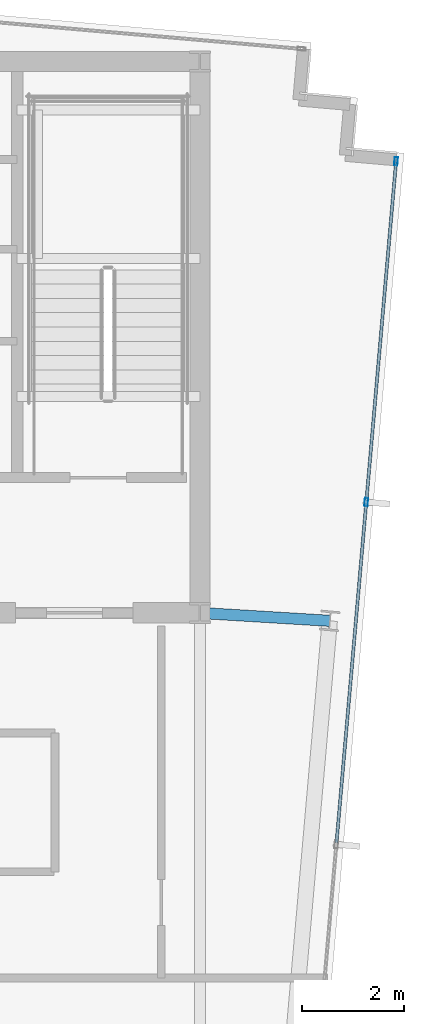
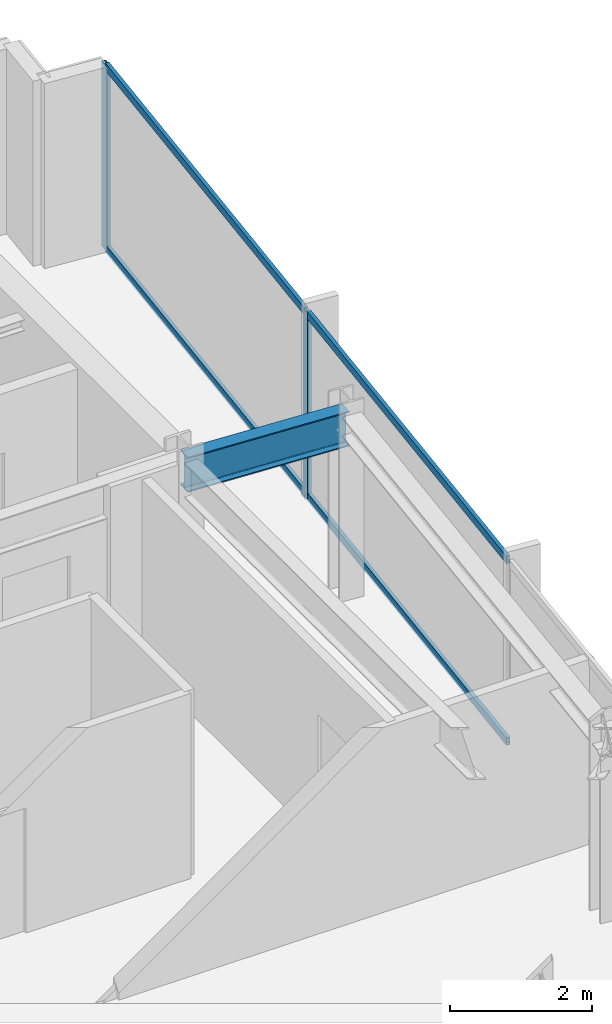
# One storey, part 21 of 32: 6 members, 1 beam, 1 element without a shape of its own.
"""IFC4 building model written with IfcOpenShell, lengths in metres."""

from ifc_helpers import new_model, si_unit, direction, frame, origin, origin_2d, place, context, subcontext, project, spatial, hollow_rectangle, i_section, extrude, material, material_profile, profile_set, type_object, element, aggregate, save


model = new_model("IFC4")

# Units and contexts
model_context = context("Model", 3, precision=1e-05, world=origin(), true_north=direction((0.0, 1.0)))
body_context = subcontext(model_context, "Body", "Model", "MODEL_VIEW")
ifc_project = project(units=[si_unit("LENGTHUNIT", "METRE"), si_unit("AREAUNIT", "SQUARE_METRE"), si_unit("VOLUMEUNIT", "CUBIC_METRE"), si_unit("PLANEANGLEUNIT", "RADIAN"), si_unit("MASSUNIT", "GRAM", prefix="KILO")], contexts=[model_context])

# Site, building, storey
site_placement = place(None, origin())
site = spatial("IfcSite", under=ifc_project, at=site_placement, CompositionType="ELEMENT")
building_placement = place(site_placement, origin())
building = spatial("IfcBuilding", under=site, at=building_placement, Name="Yelkora Congress Tower", CompositionType="ELEMENT")
storey_placement = place(building_placement, frame((0.0, 0.0, 272.699951171875)))
storey = spatial("IfcBuildingStorey", under=building, at=storey_placement, Name="L76", CompositionType="ELEMENT", Elevation=272.699951171875)

# Beam
ifc_material_1 = material(Name="Steel S355J2", Category="steel")
ifc_material_profile_1 = material_profile(ifc_material_1, i_section(OverallWidth=0.219970703125, OverallDepth=0.60009765625, WebThickness=0.011962890625, FlangeThickness=0.01904296875, FilletRadius=0.02392578125, at=origin_2d()), Name="IPE 600")
ifc_profile_set_1 = profile_set([ifc_material_profile_1], Name="Steel S355J2")
beam_type = type_object("IfcBeamType", Name="BM-GIRD-IPE600", PredefinedType="BEAM", material=ifc_profile_set_1)
beam_placement = place(storey_placement, frame((56.302001953125, 35.24560546875, 2.880126953125), z_axis=(-0.99816287892, 0.060587681471, 0.0), x_axis=(-0.060587681471, -0.99816287892, 0.0)))
element("IfcBeam", 1, at=beam_placement, inside=storey, type_object=beam_type, Name="L76 Primary Frame Girder E02", PredefinedType="BEAM", context=body_context, shape_type="SweptSolid", body=[
    extrude(i_section(OverallWidth=0.219970703125, OverallDepth=0.60009765625, WebThickness=0.011962890625, FlangeThickness=0.01904296875, FilletRadius=0.02392578125, at=origin_2d()), origin(), (0.0, 0.0, 1.0), 2.546630859375),
])

# Curtain wall, members
ifc_material_2 = material(Name="Anodised aluminium and insulated glass", Category="aluminium")
curtain_wall_type = type_object("IfcCurtainWallType", Name="CW-SYS-B5", PredefinedType="NOTDEFINED", material=ifc_material_2)
curtain_wall_placement = place(storey_placement, origin())
curtain_wall = element("IfcCurtainWall", 2, at=curtain_wall_placement, inside=storey, type_object=curtain_wall_type, Name="L76 Unitised Curtain Wall 15", PredefinedType="NOTDEFINED")
ifc_material_3 = material(Name="Anodised aluminium 6063-T6", Category="aluminium")
ifc_material_profile_2 = material_profile(ifc_material_3, hollow_rectangle(XDim=0.06494140625, YDim=0.159912109375, WallThickness=0.00390625, at=origin_2d()), Name="ALU 65x160x4")
ifc_profile_set_2 = profile_set([ifc_material_profile_2], Name="Anodised aluminium 6063-T6")
member_type_1 = type_object("IfcMemberType", Name="MEM-ML-B5", PredefinedType="MULLION", material=ifc_profile_set_2)
member_1_placement = place(storey_placement, frame((57.601318359375, 44.243896484375, 0.0), z_axis=(0.0, 0.0, 1.0), x_axis=(0.996194463398, -0.087158425264, 0.0)))
member_1 = element("IfcMember", 3, at=member_1_placement, type_object=member_type_1, Name="CW-B5 mullion 1", PredefinedType="MULLION", context=body_context, shape_type="SweptSolid", body=[
    extrude(hollow_rectangle(XDim=0.06494140625, YDim=0.159912109375, WallThickness=0.00390625, at=origin_2d()), origin(), (0.0, 0.0, 1.0), 3.179931640625),
])
member_2_placement = place(storey_placement, frame((57.017578125, 37.572021484375, 0.0), z_axis=(0.0, 0.0, 1.0), x_axis=(0.996194463398, -0.087158425264, 0.0)))
member_2 = element("IfcMember", 4, at=member_2_placement, type_object=member_type_1, Name="CW-B5 mullion 2", PredefinedType="MULLION", context=body_context, shape_type="SweptSolid", body=[
    extrude(hollow_rectangle(XDim=0.06494140625, YDim=0.159912109375, WallThickness=0.00390625, at=origin_2d()), origin(), (0.0, 0.0, 1.0), 3.179931640625),
])
ifc_material_profile_3 = material_profile(ifc_material_3, hollow_rectangle(XDim=0.06005859375, YDim=0.1298828125, WallThickness=0.00390625, at=origin_2d()), Name="ALU 60x130x4")
ifc_profile_set_3 = profile_set([ifc_material_profile_3], Name="Anodised aluminium 6063-T6")
member_type_2 = type_object("IfcMemberType", Name="MEM-TR-B5", PredefinedType="USERDEFINED", material=ifc_profile_set_3)
member_3_placement = place(storey_placement, frame((57.598388671875, 44.21142578125, 0.030029296875), z_axis=(-0.08716649365, -0.996193757451, 0.0), x_axis=(0.996193757451, -0.08716649365, 0.0)))
member_3 = element("IfcMember", 5, at=member_3_placement, type_object=member_type_2, Name="CW-B5 transom 1.1", ObjectType="TRANSOM", PredefinedType="USERDEFINED", context=body_context, shape_type="SweptSolid", body=[
    extrude(hollow_rectangle(XDim=0.06005859375, YDim=0.1298828125, WallThickness=0.00390625, at=origin_2d()), origin(), (0.0, 0.0, 1.0), 6.63232421875),
])
member_4_placement = place(storey_placement, frame((57.598388671875, 44.21142578125, 3.150146484375), z_axis=(-0.08716649365, -0.996193757451, 0.0), x_axis=(0.996193757451, -0.08716649365, 0.0)))
member_4 = element("IfcMember", 6, at=member_4_placement, type_object=member_type_2, Name="CW-B5 transom 1.2", ObjectType="TRANSOM", PredefinedType="USERDEFINED", context=body_context, shape_type="SweptSolid", body=[
    extrude(hollow_rectangle(XDim=0.06005859375, YDim=0.1298828125, WallThickness=0.00390625, at=origin_2d()), origin(), (0.0, 0.0, 1.0), 6.63232421875),
])
member_5_placement = place(storey_placement, frame((57.0146484375, 37.53955078125, 0.030029296875), z_axis=(-0.087143321513, -0.996195784731, 0.0), x_axis=(0.996195784731, -0.087143321513, 0.0)))
member_5 = element("IfcMember", 7, at=member_5_placement, type_object=member_type_2, Name="CW-B5 transom 2.1", ObjectType="TRANSOM", PredefinedType="USERDEFINED", context=body_context, shape_type="SweptSolid", body=[
    extrude(hollow_rectangle(XDim=0.06005859375, YDim=0.1298828125, WallThickness=0.00390625, at=origin_2d()), origin(), (0.0, 0.0, 1.0), 6.6650390625),
])
member_6_placement = place(storey_placement, frame((57.0146484375, 37.53955078125, 3.150146484375), z_axis=(-0.087143321513, -0.996195784731, 0.0), x_axis=(0.996195784731, -0.087143321513, 0.0)))
member_6 = element("IfcMember", 8, at=member_6_placement, type_object=member_type_2, Name="CW-B5 transom 2.2", ObjectType="TRANSOM", PredefinedType="USERDEFINED", context=body_context, shape_type="SweptSolid", body=[
    extrude(hollow_rectangle(XDim=0.06005859375, YDim=0.1298828125, WallThickness=0.00390625, at=origin_2d()), origin(), (0.0, 0.0, 1.0), 6.6650390625),
])
aggregate(curtain_wall, [member_1, member_2, member_3, member_4, member_5, member_6])

save(model, "model.ifc")
